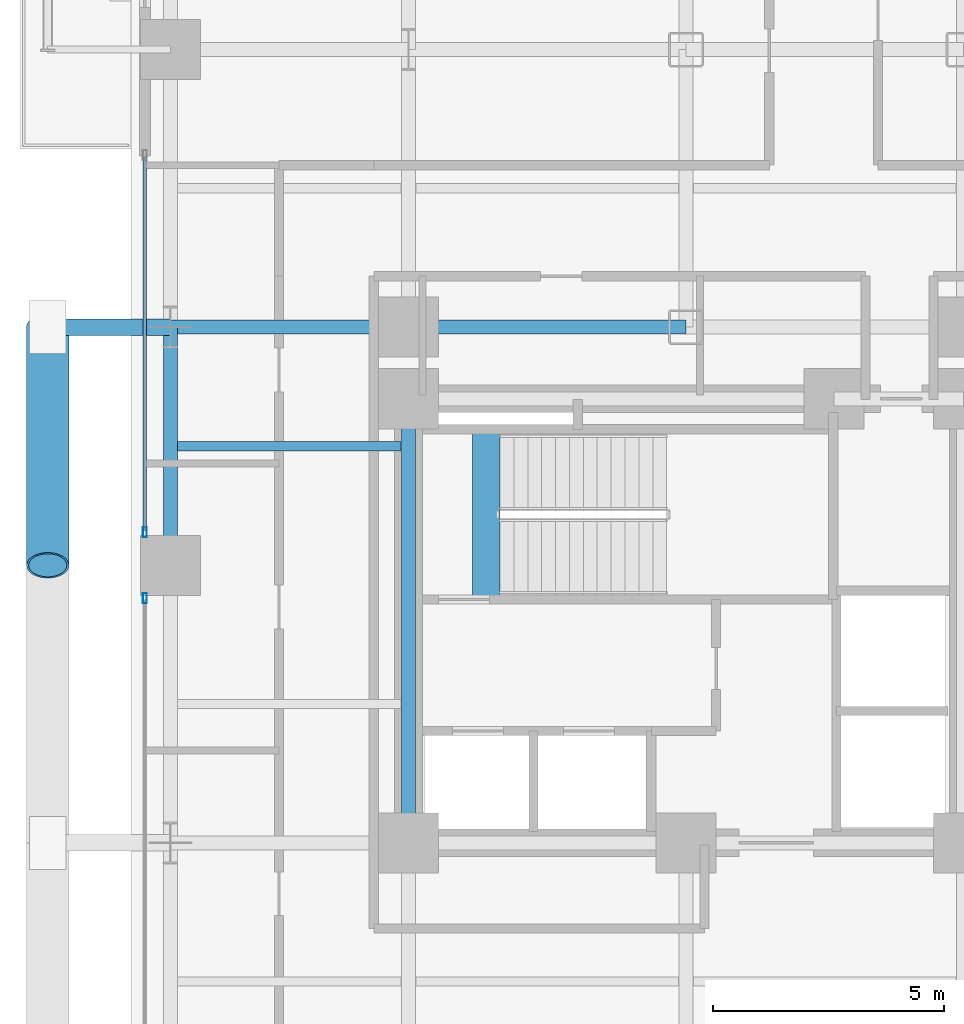
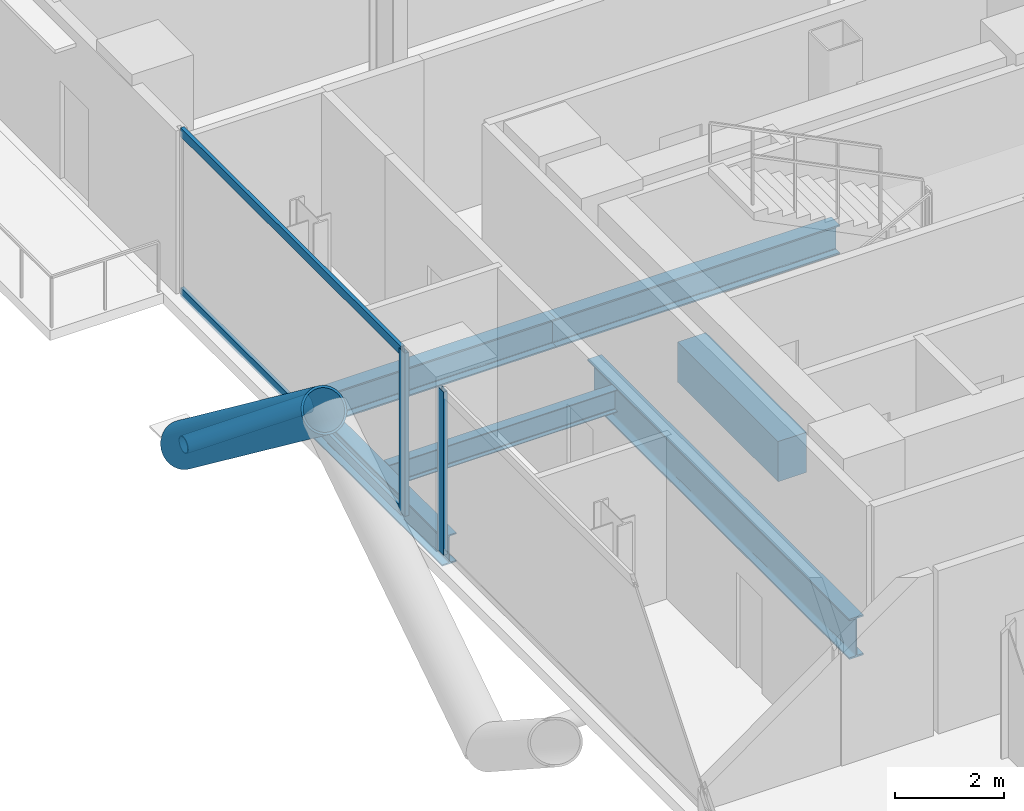
# One storey, part 5 of 27: 6 beams, 6 members, 2 elements without a shape of their own.
"""IFC4 building model written with IfcOpenShell, lengths in metres."""

from ifc_helpers import new_model, si_unit, direction, frame, origin, origin_2d, place, context, subcontext, project, spatial, rectangle, hollow_rectangle, hollow_circle, i_section, extrude, material, layer, layer_set, material_profile, profile_set, type_object, element, aggregate, save


model = new_model("IFC4")

# Units and contexts
model_context = context("Model", 3, precision=1e-05, world=origin(), true_north=direction((0.0, 1.0)))
body_context = subcontext(model_context, "Body", "Model", "MODEL_VIEW")
ifc_project = project(units=[si_unit("LENGTHUNIT", "METRE"), si_unit("AREAUNIT", "SQUARE_METRE"), si_unit("VOLUMEUNIT", "CUBIC_METRE"), si_unit("PLANEANGLEUNIT", "RADIAN"), si_unit("MASSUNIT", "GRAM", prefix="KILO"), si_unit("THERMODYNAMICTEMPERATUREUNIT", "KELVIN"), si_unit("POWERUNIT", "WATT")], contexts=[model_context])

# Site, building, storey
site_placement = place(None, origin())
site = spatial("IfcSite", under=ifc_project, at=site_placement, CompositionType="ELEMENT")
building_placement = place(site_placement, origin())
building = spatial("IfcBuilding", under=site, at=building_placement, Name="Svarakhadi Broadcast Tower", CompositionType="ELEMENT")
storey_placement = place(building_placement, frame((0.0, 0.0, 55.800048828125)))
storey = spatial("IfcBuildingStorey", under=building, at=storey_placement, Name="L12", CompositionType="ELEMENT", Elevation=55.800048828125)

# Beam
ifc_material_1 = material(Name="Steel S355J2 (IS 2062 E350C)", Category="steel")
ifc_material_profile_1 = material_profile(ifc_material_1, i_section(OverallWidth=0.199951171875, OverallDepth=0.5, WebThickness=0.01025390625, FlangeThickness=0.01611328125, FilletRadius=0.02099609375, at=origin_2d()), Name="NPB 500x200x91")
ifc_profile_set_1 = profile_set([ifc_material_profile_1], Name="Steel S355J2 (IS 2062 E350C)")
beam_type_1 = type_object("IfcBeamType", Name="Beam_NPB500", PredefinedType="BEAM", material=ifc_profile_set_1)
beam_1_placement = place(storey_placement, frame((1.010009765625, 26.574951171875, -0.5), z_axis=(1.0, 0.0, 0.0), x_axis=(0.0, 1.0, 0.0)))
element("IfcBeam", 1, at=beam_1_placement, inside=storey, type_object=beam_type_1, Name="L12 Secondary Composite Beam SB004", PredefinedType="BEAM", context=body_context, shape_type="SweptSolid", body=[
    extrude(i_section(OverallWidth=0.199951171875, OverallDepth=0.5, WebThickness=0.01025390625, FlangeThickness=0.01611328125, FilletRadius=0.02099609375, at=origin_2d()), origin(), (0.0, 0.0, 1.0), 4.830078125),
])

# Curtain wall, member
ifc_material_2 = material(Name="Anodised Bronze Aluminium AA 6063-T6", Category="aluminium")
ifc_layer = layer(ifc_material_2, 0.219970703125)
ifc_layer_set = layer_set([ifc_layer], Name="Anodised Bronze Aluminium AA 6063-T6")
curtain_wall_type = type_object("IfcCurtainWallType", Name="CW_Sys_02", PredefinedType="NOTDEFINED", material=ifc_layer_set)
curtain_wall_1_placement = place(storey_placement, origin())
curtain_wall_1 = element("IfcCurtainWall", 2, at=curtain_wall_1_placement, inside=storey, type_object=curtain_wall_type, Name="L12 West Curtain Wall 02 Bay 2", PredefinedType="NOTDEFINED")
ifc_material_profile_2 = material_profile(ifc_material_2, hollow_rectangle(XDim=0.0849609375, YDim=0.219970703125, WallThickness=0.006103515625, at=origin_2d()), Name="ALU MULLION 220x85x6")
ifc_profile_set_2 = profile_set([ifc_material_profile_2], Name="Anodised Bronze Aluminium AA 6063-T6")
member_type_1 = type_object("IfcMemberType", Name="CW_Sys_02_Mul", PredefinedType="MULLION", material=ifc_profile_set_2)
member_1_placement = place(storey_placement, frame((0.300048828125, 23.28759765625, 0.0), z_axis=(0.0, 0.0, 1.0), x_axis=(-1.0, 0.0, 0.0)))
member_1 = element("IfcMember", 3, at=member_1_placement, type_object=member_type_1, Name="CW-02 mullion 2", PredefinedType="MULLION", context=body_context, shape_type="SweptSolid", body=[
    extrude(hollow_rectangle(XDim=0.0849609375, YDim=0.219970703125, WallThickness=0.006103515625, at=origin_2d()), origin(), (0.0, 0.0, 1.0), 3.64990234375),
])
aggregate(curtain_wall_1, [member_1])

# Curtain wall, members
curtain_wall_2_placement = place(storey_placement, origin())
curtain_wall_2 = element("IfcCurtainWall", 4, at=curtain_wall_2_placement, inside=storey, type_object=curtain_wall_type, Name="L12 West Curtain Wall 02 Bay 3", PredefinedType="NOTDEFINED")
member_2_placement = place(storey_placement, frame((0.300048828125, 24.71240234375, 0.0), z_axis=(0.0, 0.0, 1.0), x_axis=(-1.0, 0.0, 0.0)))
member_2 = element("IfcMember", 5, at=member_2_placement, type_object=member_type_1, Name="CW-02 mullion 1", PredefinedType="MULLION", context=body_context, shape_type="SweptSolid", body=[
    extrude(hollow_rectangle(XDim=0.0849609375, YDim=0.219970703125, WallThickness=0.006103515625, at=origin_2d()), origin(), (0.0, 0.0, 1.0), 3.64990234375),
])
ifc_material_profile_3 = material_profile(ifc_material_2, hollow_rectangle(XDim=0.074951171875, YDim=0.199951171875, WallThickness=0.0048828125, at=origin_2d()), Name="ALU TRANSOM 200x75x5")
ifc_profile_set_3 = profile_set([ifc_material_profile_3], Name="Anodised Bronze Aluminium AA 6063-T6")
member_type_2 = type_object("IfcMemberType", Name="CW_Sys_02_Trn", PredefinedType="USERDEFINED", material=ifc_profile_set_3)
member_3_placement = place(storey_placement, frame((0.300048828125, 24.7548828125, 0.037353515625), z_axis=(0.0, 1.0, 0.0), x_axis=(-1.0, 0.0, 0.0)))
member_3 = element("IfcMember", 6, at=member_3_placement, type_object=member_type_2, Name="CW-02 transom 1.1", ObjectType="TRANSOM", PredefinedType="USERDEFINED", context=body_context, shape_type="SweptSolid", body=[
    extrude(hollow_rectangle(XDim=0.074951171875, YDim=0.199951171875, WallThickness=0.0048828125, at=origin_2d()), origin(), (0.0, 0.0, 1.0), 8.070068359375),
])
member_4_placement = place(storey_placement, frame((0.300048828125, 24.7548828125, 3.612548828125), z_axis=(0.0, 1.0, 0.0), x_axis=(-1.0, 0.0, 0.0)))
member_4 = element("IfcMember", 7, at=member_4_placement, type_object=member_type_2, Name="CW-02 transom 1.2", ObjectType="TRANSOM", PredefinedType="USERDEFINED", context=body_context, shape_type="SweptSolid", body=[
    extrude(hollow_rectangle(XDim=0.074951171875, YDim=0.199951171875, WallThickness=0.0048828125, at=origin_2d()), origin(), (0.0, 0.0, 1.0), 8.070068359375),
])
aggregate(curtain_wall_2, [member_2, member_3, member_4])

# Beam
ifc_material_3 = material(Name="Concrete C50/60 (IS 456 M60)", Category="concrete")
ifc_material_profile_4 = material_profile(ifc_material_3, rectangle(XDim=0.60009765625, YDim=0.89990234375, at=origin_2d()), Name="RC 600x900")
ifc_profile_set_4 = profile_set([ifc_material_profile_4], Name="Concrete C50/60 (IS 456 M60)")
beam_type_2 = type_object("IfcBeamType", Name="Coupling_RC600", PredefinedType="USERDEFINED", material=ifc_profile_set_4)
beam_2_placement = place(storey_placement, frame((7.679931640625, 23.260009765625, -0.449951171875), z_axis=(0.0, 1.0, 0.0), x_axis=(-1.0, 0.0, 0.0)))
element("IfcBeam", 8, at=beam_2_placement, inside=storey, type_object=beam_type_2, Name="L12 Stair ST-01 Landing Throat Trimmer Beam CB-01", ObjectType="GIRDER", PredefinedType="USERDEFINED", context=body_context, shape_type="SweptSolid", body=[
    extrude(rectangle(XDim=0.60009765625, YDim=0.89990234375, at=origin_2d()), origin(), (0.0, 0.0, 1.0), 3.679931640625),
])

# Members
ifc_material_4 = material(Name="Steel S460ML (IS 2062 E450BR)", Category="steel")
ifc_material_profile_5 = material_profile(ifc_material_4, hollow_circle(Radius=0.45703125, WallThickness=0.044921875, at=origin_2d()), Name="CHS 914x45")
ifc_profile_set_5 = profile_set([ifc_material_profile_5], Name="Steel S460ML (IS 2062 E450BR)")
member_type_3 = type_object("IfcMemberType", Name="Exo_Brace_CHS914", PredefinedType="BRACE", material=ifc_profile_set_5)
member_5_placement = place(storey_placement, frame((-1.800048828125, 29.14990234375, -0.427734375), z_axis=(0.0, -0.797206791841, 0.603706328476), x_axis=(1.0, 0.0, 0.0)))
element("IfcMember", 9, at=member_5_placement, inside=storey, type_object=member_type_3, Name="L12 Exposed Bronze Exoskeleton Diagonal W09", PredefinedType="BRACE", context=body_context, shape_type="SweptSolid", body=[
    extrude(hollow_circle(Radius=0.45703125, WallThickness=0.044921875, at=origin_2d()), origin(), (0.0, 0.0, 1.0), 6.4599609375),
])
ifc_material_profile_6 = material_profile(ifc_material_4, hollow_circle(Radius=0.177734375, WallThickness=0.02001953125, at=origin_2d()), Name="CHS 355.6x20")
ifc_profile_set_6 = profile_set([ifc_material_profile_6], Name="Steel S460ML (IS 2062 E450BR)")
member_type_4 = type_object("IfcMemberType", Name="Exo_Radial_Strut_Z1", PredefinedType="STRUT", material=ifc_profile_set_6)
member_6_placement = place(storey_placement, frame((-1.800048828125, 29.14990234375, -0.427734375), z_axis=(1.0, 0.0, 0.0), x_axis=(0.0, 1.0, 0.0)))
element("IfcMember", 10, at=member_6_placement, inside=storey, type_object=member_type_4, Name="L12 Exoskeleton Radial Tie Strut W07", PredefinedType="STRUT", context=body_context, shape_type="SweptSolid", body=[
    extrude(hollow_circle(Radius=0.177734375, WallThickness=0.02001953125, at=origin_2d()), origin(), (0.0, 0.0, 1.0), 2.650146484375),
])

# Beams
ifc_material_profile_7 = material_profile(ifc_material_1, i_section(OverallWidth=0.300048828125, OverallDepth=0.64990234375, WebThickness=0.01611328125, FlangeThickness=0.031005859375, FilletRadius=0.027099609375, at=origin_2d()), Name="WPB 650x300x225")
ifc_profile_set_7 = profile_set([ifc_material_profile_7], Name="Steel S355J2 (IS 2062 E350C)")
beam_type_3 = type_object("IfcBeamType", Name="Girder_WPB650", PredefinedType="USERDEFINED", material=ifc_profile_set_7)
beam_3_placement = place(storey_placement, frame((0.85009765625, 29.14990234375, -0.574951171875), z_axis=(1.0, 0.0, 0.0), x_axis=(0.0, 1.0, 0.0)))
element("IfcBeam", 11, at=beam_3_placement, inside=storey, type_object=beam_type_3, Name="L12 Primary E-W Girder G034", ObjectType="GIRDER", PredefinedType="USERDEFINED", context=body_context, shape_type="SweptSolid", body=[
    extrude(i_section(OverallWidth=0.300048828125, OverallDepth=0.64990234375, WebThickness=0.01611328125, FlangeThickness=0.031005859375, FilletRadius=0.027099609375, at=origin_2d()), origin(), (0.0, 0.0, 1.0), 5.14990234375),
])
beam_4_placement = place(storey_placement, frame((6.0, 29.14990234375, -0.574951171875), z_axis=(1.0, 0.0, 0.0), x_axis=(0.0, 1.0, 0.0)))
element("IfcBeam", 12, at=beam_4_placement, inside=storey, type_object=beam_type_3, Name="L12 Primary E-W Girder G035", ObjectType="GIRDER", PredefinedType="USERDEFINED", context=body_context, shape_type="SweptSolid", body=[
    extrude(i_section(OverallWidth=0.300048828125, OverallDepth=0.64990234375, WebThickness=0.01611328125, FlangeThickness=0.031005859375, FilletRadius=0.027099609375, at=origin_2d()), origin(), (0.0, 0.0, 1.0), 6.0),
])
beam_5_placement = place(storey_placement, frame((0.85009765625, 24.0, -0.574951171875), z_axis=(0.0, 1.0, 0.0), x_axis=(-1.0, 0.0, 0.0)))
element("IfcBeam", 13, at=beam_5_placement, inside=storey, type_object=beam_type_3, Name="L12 Primary N-S Girder G048", ObjectType="GIRDER", PredefinedType="USERDEFINED", context=body_context, shape_type="SweptSolid", body=[
    extrude(i_section(OverallWidth=0.300048828125, OverallDepth=0.64990234375, WebThickness=0.01611328125, FlangeThickness=0.031005859375, FilletRadius=0.027099609375, at=origin_2d()), origin(), (0.0, 0.0, 1.0), 5.14990234375),
])
ifc_material_profile_8 = material_profile(ifc_material_4, i_section(OverallWidth=0.300048828125, OverallDepth=0.89990234375, WebThickness=0.0185546875, FlangeThickness=0.034912109375, FilletRadius=0.030029296875, at=origin_2d()), Name="WPB 900x300x291")
ifc_profile_set_8 = profile_set([ifc_material_profile_8], Name="Steel S460ML (IS 2062 E450BR)")
beam_type_4 = type_object("IfcBeamType", Name="Girder_WPB900", PredefinedType="USERDEFINED", material=ifc_profile_set_8)
beam_6_placement = place(storey_placement, frame((6.0, 18.0, -0.699951171875), z_axis=(0.0, 1.0, 0.0), x_axis=(-1.0, 0.0, 0.0)))
element("IfcBeam", 14, at=beam_6_placement, inside=storey, type_object=beam_type_4, Name="L12 Primary N-S Girder G054", ObjectType="GIRDER", PredefinedType="USERDEFINED", context=body_context, shape_type="SweptSolid", body=[
    extrude(i_section(OverallWidth=0.300048828125, OverallDepth=0.89990234375, WebThickness=0.0185546875, FlangeThickness=0.034912109375, FilletRadius=0.030029296875, at=origin_2d()), origin(), (0.0, 0.0, 1.0), 9.60009765625),
])

save(model, "model.ifc")
